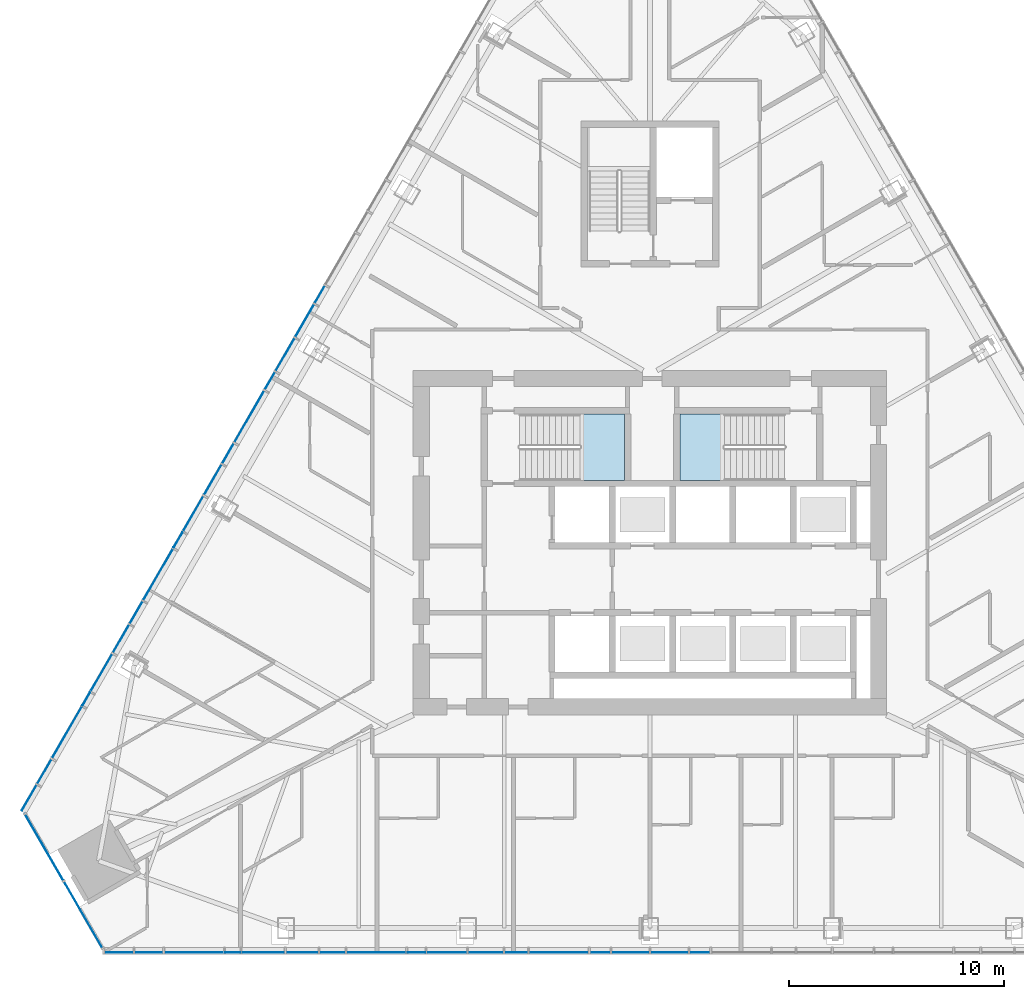
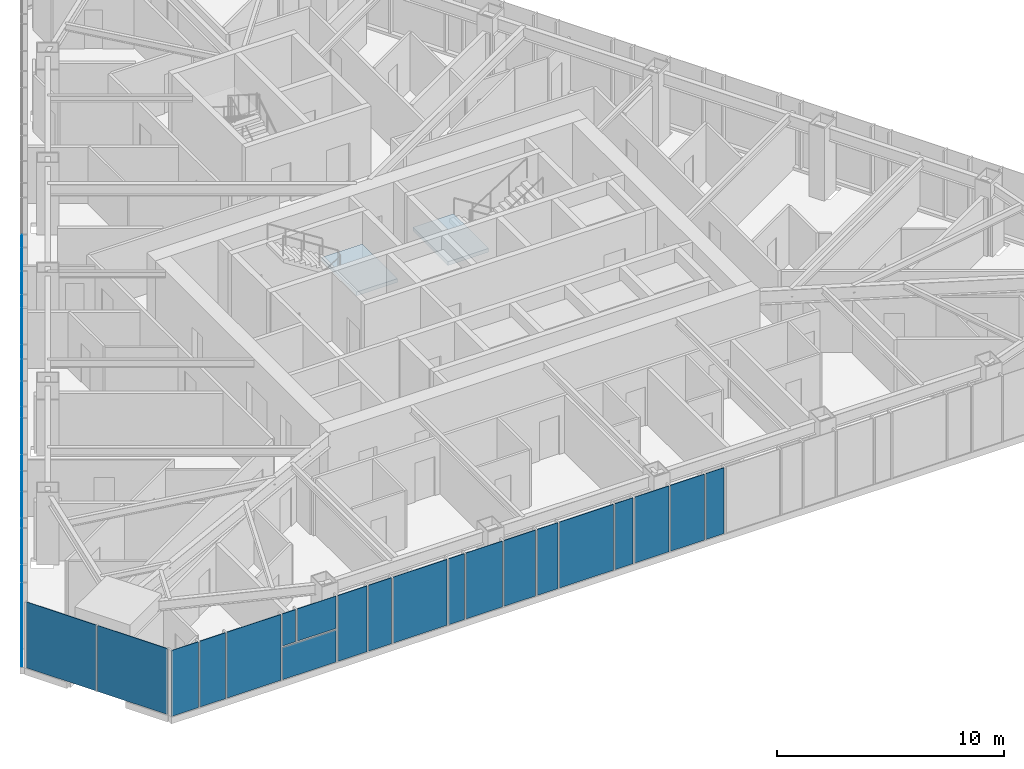
# One storey, part 8 of 19: 37 plates, 2 slabs, 5 elements without a shape of their own.
"""IFC4 building model written with IfcOpenShell, lengths in metres."""

import ifcopenshell
import ifcopenshell.guid

model = None  # the IFC model being written
_history = None  # IfcOwnerHistory: only IFC2X3 demands one
_inside = {}  # id of a spatial element -> (the spatial element, [elements in it])
_under = {}  # id of a project, library or spatial element -> (it, [spatial elements below it])
_declared = {}  # id of a project -> (the project, [libraries it declares])
_typed = {}  # id of a type object -> (the type object, [elements of that type])
_made_of = {}  # id of a material, layer set ... -> (it, [elements and type objects made of it])


def new_model(schema):
    """Start an empty IFC model of exactly this schema.

    Asked for "IFC4X3", IfcOpenShell would pick the latest addendum, in which some entities
    have other attributes; the version numbers below select the first issue.
    IFC2X3 requires an IfcOwnerHistory on every rooted entity: one is made here for all.
    """
    global model, _history
    if schema == "IFC4X3":
        model = ifcopenshell.file(schema_version=(4, 3, 0, 0))
    else:
        model = ifcopenshell.file(schema=schema)
    _inside.clear()
    _under.clear()
    _declared.clear()
    _typed.clear()
    _made_of.clear()
    _history = None
    if model.schema == "IFC2X3":
        org = make("IfcOrganization", Name="unknown")
        user = make(
            "IfcPersonAndOrganization",
            ThePerson=make("IfcPerson", FamilyName="unknown"),
            TheOrganization=org,
        )
        app = make(
            "IfcApplication",
            ApplicationDeveloper=org,
            Version="unknown",
            ApplicationFullName="unknown",
            ApplicationIdentifier="unknown",
        )
        _history = make(
            "IfcOwnerHistory",
            OwningUser=user,
            OwningApplication=app,
            ChangeAction="ADDED",
            CreationDate=0,
        )
    return model


def make(cls, **values):
    """One entity of the class cls with the attributes given. An attribute that is None is left unset."""
    return model.create_entity(
        cls, **{name: value for name, value in values.items() if value is not None}
    )


def rooted(cls, **values):
    """An entity with a GlobalId (a new one), such as an element, a storey or a relation."""
    return make(cls, GlobalId=ifcopenshell.guid.new(), OwnerHistory=_history, **values)


def si_unit(unit_type, name, prefix=None):
    """IfcSIUnit, for example si_unit("LENGTHUNIT", "METRE", prefix="MILLI")."""
    return make("IfcSIUnit", UnitType=unit_type, Prefix=prefix, Name=name)


def assignment(units):
    """IfcUnitAssignment: the units of a project."""
    return None if units is None else make("IfcUnitAssignment", Units=units)


def point(xyz):
    """IfcCartesianPoint."""
    return None if xyz is None else make("IfcCartesianPoint", Coordinates=xyz)


def direction(xyz):
    """IfcDirection."""
    return None if xyz is None else make("IfcDirection", DirectionRatios=xyz)


def frame(location, z_axis=None, x_axis=None):
    """IfcAxis2Placement3D, a coordinate frame: its origin and axes. An axis left out is left unset."""
    return make(
        "IfcAxis2Placement3D",
        Location=point(location),
        Axis=direction(z_axis),
        RefDirection=direction(x_axis),
    )


def origin():
    """The frame at (0, 0, 0) with its axes left unset."""
    return frame((0.0, 0.0, 0.0))


def place(relative_to, where):
    """IfcLocalPlacement: puts the frame where relative to a parent placement (None: the world)."""
    return make(
        "IfcLocalPlacement", PlacementRelTo=relative_to, RelativePlacement=where
    )


def context(
    kind, dimensions, precision=None, world=None, true_north=None, identifier=None
):
    """IfcGeometricRepresentationContext, for example the 3D "Model" context."""
    return make(
        "IfcGeometricRepresentationContext",
        ContextIdentifier=identifier,
        ContextType=kind,
        CoordinateSpaceDimension=dimensions,
        Precision=precision,
        WorldCoordinateSystem=world,
        TrueNorth=true_north,
    )


def subcontext(parent, identifier, kind, view, scale=None):
    """IfcGeometricRepresentationSubContext, for example "Body" below "Model"."""
    return make(
        "IfcGeometricRepresentationSubContext",
        ContextIdentifier=identifier,
        ContextType=kind,
        ParentContext=parent,
        TargetScale=scale,
        TargetView=view,
    )


def project(units=None, contexts=None):
    """IfcProject with its units and contexts."""
    return rooted(
        "IfcProject",
        Name="project",
        RepresentationContexts=contexts,
        UnitsInContext=assignment(units),
    )


def spatial(cls, under=None, at=None, **own):
    """A site, building, storey or space (cls), placed at a placement, below another one or the project."""
    s = rooted(cls, ObjectPlacement=at, **own)
    if under is not None:
        _under.setdefault(under.id(), (under, []))[1].append(s)
    return s


def polyline(points):
    """IfcPolyline through the points."""
    return make("IfcPolyline", Points=[point(p) for p in points])


def outline(outer, holes=None, kind="AREA"):
    """IfcArbitraryClosedProfileDef: a profile drawn as a closed curve; with holes, ...WithVoids."""
    if holes is None:
        return make("IfcArbitraryClosedProfileDef", ProfileType=kind, OuterCurve=outer)
    return make(
        "IfcArbitraryProfileDefWithVoids",
        ProfileType=kind,
        OuterCurve=outer,
        InnerCurves=holes,
    )


def extrude(swept, where, along, depth):
    """IfcExtrudedAreaSolid: the profile swept, set in the frame where, extruded along a direction by depth."""
    return make(
        "IfcExtrudedAreaSolid",
        SweptArea=swept,
        Position=where,
        ExtrudedDirection=direction(along),
        Depth=depth,
    )


def shape(context_of_items, identifier, shape_type, items):
    """IfcShapeRepresentation: the items that make up one representation, for example the "Body"."""
    return make(
        "IfcShapeRepresentation",
        ContextOfItems=context_of_items,
        RepresentationIdentifier=identifier,
        RepresentationType=shape_type,
        Items=items,
    )


def material(Name=None, Category=None):
    """IfcMaterial."""
    return make("IfcMaterial", Name=Name, Category=Category)


def layer(
    of_material, thickness, ventilated=None, Name=None, Category=None, Priority=None
):
    """IfcMaterialLayer: one layer of a wall or slab, of a material (None: an air gap)."""
    return make(
        "IfcMaterialLayer",
        Material=of_material,
        LayerThickness=thickness,
        IsVentilated=ventilated,
        Name=Name,
        Category=Category,
        Priority=Priority,
    )


def layer_set(layers, Name=None):
    """IfcMaterialLayerSet."""
    return make("IfcMaterialLayerSet", MaterialLayers=layers, LayerSetName=Name)


def made_of(thing, what):
    """Note that an element or type object is made of a material, layer set ...; save() writes the relation."""
    if what is not None:
        _made_of.setdefault(what.id(), (what, []))[1].append(thing)
    return thing


def type_object(cls, material=None, **own):
    """A type object (cls), such as IfcWallType, which elements share."""
    return made_of(rooted(cls, **own), material)


def element(
    cls,
    number,
    at=None,
    inside=None,
    cuts=None,
    type_object=None,
    material=None,
    context=None,
    identifier="Body",
    shape_type=None,
    held_by="IfcProductDefinitionShape",
    body=None,
    shapes=None,
    **own,
):
    """One element of the class cls, such as IfcWall. Its Tag is "e" and its number.

    at: its placement. inside: the storey or other place that contains it. cuts: it is an
    opening in that element (IfcRelVoidsElement). A single representation is given by context,
    identifier, shape_type and body (its items); several are given by shapes. held_by: the class
    of the entity that holds the representations. save() writes the other relations.
    """
    e = rooted(cls, Tag="e%d" % number, ObjectPlacement=at, **own)
    if body is not None:
        shapes = [shape(context, identifier, shape_type, body)]
    if shapes is not None:
        e.Representation = make(held_by, Representations=shapes)
    if inside is not None:
        _inside.setdefault(inside.id(), (inside, []))[1].append(e)
    if cuts is not None:
        rooted(
            "IfcRelVoidsElement", RelatingBuildingElement=cuts, RelatedOpeningElement=e
        )
    if type_object is not None:
        _typed.setdefault(type_object.id(), (type_object, []))[1].append(e)
    return made_of(e, material)


def aggregate(whole, parts):
    """IfcRelAggregates: a whole, such as a stair, and the parts it consists of."""
    return rooted("IfcRelAggregates", RelatingObject=whole, RelatedObjects=parts)


def save(model, path):
    """Write the relations noted so far, then the file.

    IfcRelAggregates (storeys below a building ...), IfcRelContainedInSpatialStructure (elements
    in a storey), IfcRelDefinesByType, IfcRelAssociatesMaterial and IfcRelDeclares: one each for
    every whole, place, type object, material and project.
    """
    for whole, parts in _under.values():
        aggregate(whole, parts)
    for where, things in _inside.values():
        rooted(
            "IfcRelContainedInSpatialStructure",
            RelatedElements=things,
            RelatingStructure=where,
        )
    for kind, things in _typed.values():
        rooted("IfcRelDefinesByType", RelatedObjects=things, RelatingType=kind)
    for what, things in _made_of.values():
        rooted("IfcRelAssociatesMaterial", RelatedObjects=things, RelatingMaterial=what)
    for by, libraries in _declared.values():
        rooted("IfcRelDeclares", RelatingContext=by, RelatedDefinitions=libraries)
    model.write(path)


model = new_model("IFC4")

# Units and contexts
model_context = context("Model", 3, precision=1e-05, world=origin(), true_north=direction((0.0, 1.0)))
body_context = subcontext(model_context, "Body", "Model", "MODEL_VIEW")
ifc_project = project(units=[si_unit("LENGTHUNIT", "METRE"), si_unit("AREAUNIT", "SQUARE_METRE"), si_unit("VOLUMEUNIT", "CUBIC_METRE"), si_unit("PLANEANGLEUNIT", "RADIAN"), si_unit("MASSUNIT", "GRAM", prefix="KILO")], contexts=[model_context])

# Site, building, storey
site_placement = place(None, origin())
site = spatial("IfcSite", under=ifc_project, at=site_placement, CompositionType="ELEMENT")
building_placement = place(site_placement, origin())
building = spatial("IfcBuilding", under=site, at=building_placement, Name="Firuza Gate Tower and Library", CompositionType="ELEMENT")
storey_placement = place(building_placement, frame((0.0, 0.0, 210.39990234375)))
storey = spatial("IfcBuildingStorey", under=building, at=storey_placement, Name="L49", CompositionType="ELEMENT", Elevation=210.39990234375)

# Curtain wall, plates
ifc_material_1 = material(Name="Aluminium 6063-T6", Category="aluminium")
ifc_layer_1 = layer(ifc_material_1, 0.14990234375)
ifc_layer_set_1 = layer_set([ifc_layer_1], Name="Corner curtain wall, chamfers")
curtain_wall_type_1 = type_object("IfcCurtainWallType", Name="Corner curtain wall, chamfers", PredefinedType="NOTDEFINED", material=ifc_layer_set_1)
placement_1 = place(storey_placement, origin())
curtain_wall_1 = element("IfcCurtainWall", 1, at=placement_1, inside=storey, type_object=curtain_wall_type_1, Name="CW4 L49 SW corner", PredefinedType="NOTDEFINED")
ifc_material_2 = material(Name="Fritted glass", Category="glass")
ifc_layer_2 = layer(ifc_material_2, 0.030029296875)
ifc_layer_set_2 = layer_set([ifc_layer_2], Name="Fritted glass unit, corners")
plate_type_1 = type_object("IfcPlateType", Name="Fritted glass unit, corners", PredefinedType="CURTAIN_PANEL", material=ifc_layer_set_2)
plate_1_placement = place(storey_placement, frame((45.953369140625, 62.390625, 0.150146484375), z_axis=(-0.866016723041, -0.500015035186, 0.0), x_axis=(0.500015035186, -0.866016723041, 0.0)))
plate_1 = element("IfcPlate", 2, at=plate_1_placement, type_object=plate_type_1, Name="Glass unit", PredefinedType="CURTAIN_PANEL", context=body_context, shape_type="SweptSolid", body=[
    extrude(outline(polyline([(0.0, 0.0), (3.5633694106530625, 0.0), (3.5633694106530625, 3.550048828125), (0.0, 3.550048828125), (0.0, 0.0)])), origin(), (0.0, 0.0, -1.0), 0.030029296875),
])
plate_2_placement = place(storey_placement, frame((47.775146484375, 59.235595703125, 0.150146484375), z_axis=(-0.866046390552, -0.49996364809, 0.0), x_axis=(0.49996364809, -0.866046390552, 0.0)))
plate_2 = element("IfcPlate", 3, at=plate_2_placement, type_object=plate_type_1, Name="Glass unit", PredefinedType="CURTAIN_PANEL", context=body_context, shape_type="SweptSolid", body=[
    extrude(outline(polyline([(0.0, 0.0), (3.563247342942594, 0.0), (3.563247342942594, 3.550048828125), (0.0, 3.550048828125), (0.0, 0.0)])), origin(), (0.0, 0.0, -1.0), 0.030029296875),
])
aggregate(curtain_wall_1, [plate_1, plate_2])

ifc_material_3 = material(Name="Aluminium 6063-T6", Category="aluminium")
ifc_layer_3 = layer(ifc_material_3, 0.14990234375)
ifc_layer_set_3 = layer_set([ifc_layer_3], Name="Unitised curtain wall, hotel")
curtain_wall_type_2 = type_object("IfcCurtainWallType", Name="Unitised curtain wall, hotel", PredefinedType="NOTDEFINED", material=ifc_layer_set_3)
curtain_wall_2 = element("IfcCurtainWall", 4, at=placement_1, inside=storey, type_object=curtain_wall_type_2, Name="CW2 L49 S face", PredefinedType="NOTDEFINED")
ifc_material_4 = material(Name="Fritted glass", Category="glass")
ifc_layer_4 = layer(ifc_material_4, 0.030029296875)
ifc_layer_set_4 = layer_set([ifc_layer_4], Name="Fritted glass unit, hotel")
plate_type_2 = type_object("IfcPlateType", Name="Fritted glass unit, hotel", PredefinedType="CURTAIN_PANEL", material=ifc_layer_set_4)
plate_3_placement = place(storey_placement, frame((49.629638671875, 55.9375, 0.150146484375), z_axis=(0.0, -1.0, 0.0), x_axis=(1.0, 0.0, 0.0)))
plate_3 = element("IfcPlate", 5, at=plate_3_placement, type_object=plate_type_2, Name="Glass unit", PredefinedType="CURTAIN_PANEL", context=body_context, shape_type="SweptSolid", body=[
    extrude(outline(polyline([(0.0, 0.0), (1.36328125, 0.0), (1.36328125, 3.550048828125), (0.0, 3.550048828125), (0.0, 0.0)])), origin(), (0.0, 0.0, -1.0), 0.030029296875),
])
plate_4_placement = place(storey_placement, frame((55.2763671875, 55.9375, 0.150146484375), z_axis=(0.0, -1.0, 0.0), x_axis=(1.0, 0.0, 0.0)))
plate_4 = element("IfcPlate", 6, at=plate_4_placement, type_object=plate_type_2, Name="Glass unit", PredefinedType="CURTAIN_PANEL", context=body_context, shape_type="SweptSolid", body=[
    extrude(outline(polyline([(0.0, 0.0), (2.743408203125, 0.0), (2.743408203125, 1.73486328125), (0.0, 1.73486328125), (0.0, 0.0)])), origin(), (0.0, 0.0, -1.0), 0.030029296875),
])
plate_5_placement = place(storey_placement, frame((56.03857421875, 55.9375, 1.965087890625), z_axis=(0.0, -1.0, 0.0), x_axis=(1.0, 0.0, 0.0)))
plate_5 = element("IfcPlate", 7, at=plate_5_placement, type_object=plate_type_2, Name="Glass unit", PredefinedType="CURTAIN_PANEL", context=body_context, shape_type="SweptSolid", body=[
    extrude(outline(polyline([(0.0, 0.0), (1.981201171875, 0.0), (1.981201171875, 1.735107421875), (0.0, 1.735107421875), (0.0, 0.0)])), origin(), (0.0, 0.0, -1.0), 0.030029296875),
])
plate_6_placement = place(storey_placement, frame((58.099853515625, 55.9375, 0.150146484375), z_axis=(0.0, -1.0, 0.0), x_axis=(1.0, 0.0, 0.0)))
plate_6 = element("IfcPlate", 8, at=plate_6_placement, type_object=plate_type_2, Name="Glass unit", PredefinedType="CURTAIN_PANEL", context=body_context, shape_type="SweptSolid", body=[
    extrude(outline(polyline([(0.0, 0.0), (1.486572265625, 0.0), (1.486572265625, 3.550048828125), (0.0, 3.550048828125), (0.0, 0.0)])), origin(), (0.0, 0.0, -1.0), 0.030029296875),
])
plate_7_placement = place(storey_placement, frame((64.63232421875, 55.9375, 0.150146484375), z_axis=(0.0, -1.0, 0.0), x_axis=(1.0, 0.0, 0.0)))
plate_7 = element("IfcPlate", 9, at=plate_7_placement, type_object=plate_type_2, Name="Glass unit", PredefinedType="CURTAIN_PANEL", context=body_context, shape_type="SweptSolid", body=[
    extrude(outline(polyline([(0.0, 0.0), (1.857666015625, 0.0), (1.857666015625, 3.550048828125), (0.0, 3.550048828125), (0.0, 0.0)])), origin(), (0.0, 0.0, -1.0), 0.030029296875),
])
plate_8_placement = place(storey_placement, frame((66.56982421875, 55.9375, 0.150146484375), z_axis=(0.0, -1.0, 0.0), x_axis=(1.0, 0.0, 0.0)))
plate_8 = element("IfcPlate", 10, at=plate_8_placement, type_object=plate_type_2, Name="Glass unit", PredefinedType="CURTAIN_PANEL", context=body_context, shape_type="SweptSolid", body=[
    extrude(outline(polyline([(0.0, 0.0), (1.6103515625, 0.0), (1.6103515625, 3.550048828125), (0.0, 3.550048828125), (0.0, 0.0)])), origin(), (0.0, 0.0, -1.0), 0.030029296875),
])
plate_9_placement = place(storey_placement, frame((73.22607421875, 55.9375, 0.150146484375), z_axis=(0.0, -1.0, 0.0), x_axis=(1.0, 0.0, 0.0)))
plate_9 = element("IfcPlate", 11, at=plate_9_placement, type_object=plate_type_2, Name="Glass unit", PredefinedType="CURTAIN_PANEL", context=body_context, shape_type="SweptSolid", body=[
    extrude(outline(polyline([(0.0, 0.0), (1.73388671875, 0.0), (1.73388671875, 3.550048828125), (0.0, 3.550048828125), (0.0, 0.0)])), origin(), (0.0, 0.0, -1.0), 0.030029296875),
])
plate_10_placement = place(storey_placement, frame((75.0400390625, 55.9375, 0.150146484375), z_axis=(0.0, -1.0, 0.0), x_axis=(1.0, 0.0, 0.0)))
plate_10 = element("IfcPlate", 12, at=plate_10_placement, type_object=plate_type_2, Name="Glass unit", PredefinedType="CURTAIN_PANEL", context=body_context, shape_type="SweptSolid", body=[
    extrude(outline(polyline([(0.0, 0.0), (1.73388671875, 0.0), (1.73388671875, 3.550048828125), (0.0, 3.550048828125), (0.0, 0.0)])), origin(), (0.0, 0.0, -1.0), 0.030029296875),
])

curtain_wall_3 = element("IfcCurtainWall", 13, at=placement_1, inside=storey, type_object=curtain_wall_type_2, Name="CW2 L49 W face", PredefinedType="NOTDEFINED")
plate_11_placement = place(storey_placement, frame((59.37841796875, 86.067626953125, 0.150146484375), z_axis=(-0.865981599177, 0.500075864132, 0.0), x_axis=(-0.500075864132, -0.865981599177, 0.0)))
plate_11 = element("IfcPlate", 14, at=plate_11_placement, type_object=plate_type_2, Name="Glass unit", PredefinedType="CURTAIN_PANEL", context=body_context, shape_type="SweptSolid", body=[
    extrude(outline(polyline([(0.0, 0.0), (1.7341118862140483, 0.0), (1.7341118862140483, 3.550048828125), (0.0, 3.550048828125), (0.0, 0.0)])), origin(), (0.0, 0.0, -1.0), 0.030029296875),
])
plate_12_placement = place(storey_placement, frame((58.471435546875, 84.49658203125, 0.150146484375), z_axis=(-0.865981599177, 0.500075864132, 0.0), x_axis=(-0.500075864132, -0.865981599177, 0.0)))
plate_12 = element("IfcPlate", 15, at=plate_12_placement, type_object=plate_type_2, Name="Glass unit", PredefinedType="CURTAIN_PANEL", context=body_context, shape_type="SweptSolid", body=[
    extrude(outline(polyline([(0.0, 0.0), (1.7341118862140483, 0.0), (1.7341118862140483, 3.550048828125), (0.0, 3.550048828125), (0.0, 0.0)])), origin(), (0.0, 0.0, -1.0), 0.030029296875),
])
plate_13_placement = place(storey_placement, frame((55.08154296875, 78.625244140625, 0.150146484375), z_axis=(-0.866013897511, 0.50001992892, 0.0), x_axis=(-0.50001992892, -0.866013897511, 0.0)))
plate_13 = element("IfcPlate", 16, at=plate_13_placement, type_object=plate_type_2, Name="Glass unit", PredefinedType="CURTAIN_PANEL", context=body_context, shape_type="SweptSolid", body=[
    extrude(outline(polyline([(0.0, 0.0), (1.610287379922637, 0.0), (1.610287379922637, 3.550048828125), (0.0, 3.550048828125), (0.0, 0.0)])), origin(), (0.0, 0.0, -1.0), 0.030029296875),
])
plate_14_placement = place(storey_placement, frame((54.236328125, 77.161376953125, 0.150146484375), z_axis=(-0.866010510293, 0.500025795397, 0.0), x_axis=(-0.500025795397, -0.866010510293, 0.0)))
plate_14 = element("IfcPlate", 17, at=plate_14_placement, type_object=plate_type_2, Name="Glass unit", PredefinedType="CURTAIN_PANEL", context=body_context, shape_type="SweptSolid", body=[
    extrude(outline(polyline([(0.0, 0.0), (1.857814310135533, 0.0), (1.857814310135533, 3.550048828125001), (0.0, 3.550048828125001), (0.0, 0.0)])), origin(), (0.0, 0.0, -1.0), 0.030029296875),
])
plate_15_placement = place(storey_placement, frame((50.78466796875, 71.182861328125, 0.150146484375), z_axis=(-0.866021515814, 0.500006734102, 0.0), x_axis=(-0.500006734102, -0.866021515814, 0.0)))
plate_15 = element("IfcPlate", 18, at=plate_15_placement, type_object=plate_type_2, Name="Glass unit", PredefinedType="CURTAIN_PANEL", context=body_context, shape_type="SweptSolid", body=[
    extrude(outline(polyline([(0.0, 0.0), (1.4867963817732524, 0.0), (1.4867963817732524, 3.550048828125001), (0.0, 3.550048828125001), (0.0, 0.0)])), origin(), (0.0, 0.0, -1.0), 0.030029296875),
])
plate_16_placement = place(storey_placement, frame((50.001220703125, 69.825927734375, 0.150146484375), z_axis=(-0.866005004348, 0.500035331196, 0.0), x_axis=(-0.500035331196, -0.866005004348, 0.0)))
plate_16 = element("IfcPlate", 19, at=plate_16_placement, type_object=plate_type_2, Name="Glass unit", PredefinedType="CURTAIN_PANEL", context=body_context, shape_type="SweptSolid", body=[
    extrude(outline(polyline([(0.0, 0.0), (1.9813053087282266, 0.0), (1.9813053087282266, 3.550048828125), (0.0, 3.550048828125), (0.0, 0.0)])), origin(), (0.0, 0.0, -1.0), 0.030029296875),
])
plate_17_placement = place(storey_placement, frame((46.48779296875, 63.740478515625, 0.150146484375), z_axis=(-0.865985735208, 0.500068701696, 0.0), x_axis=(-0.500068701696, -0.865985735208, 0.0)))
plate_17 = element("IfcPlate", 20, at=plate_17_placement, type_object=plate_type_2, Name="Glass unit", PredefinedType="CURTAIN_PANEL", context=body_context, shape_type="SweptSolid", body=[
    extrude(outline(polyline([(0.0, 0.0), (1.3630939562663213, 0.0), (1.3630939562663213, 3.550048828125), (0.0, 3.550048828125), (0.0, 0.0)])), origin(), (0.0, 0.0, -1.0), 0.030029296875),
])

# Plate
ifc_material_5 = material(Name="Glazed ceramic tile")
ifc_layer_5 = layer(ifc_material_5, 0.030029296875)
ifc_layer_set_5 = layer_set([ifc_layer_5], Name="Opaque ceramic panel, hotel")
plate_type_3 = type_object("IfcPlateType", Name="Opaque ceramic panel, hotel", PredefinedType="CURTAIN_PANEL", material=ifc_layer_set_5)
plate_18_placement = place(storey_placement, frame((51.07275390625, 55.9375, 0.150146484375), z_axis=(0.0, -1.0, 0.0), x_axis=(1.0, 0.0, 0.0)))
plate_18 = element("IfcPlate", 21, at=plate_18_placement, type_object=plate_type_3, Name="Opaque ceramic panel", PredefinedType="CURTAIN_PANEL", context=body_context, shape_type="SweptSolid", body=[
    extrude(outline(polyline([(0.0, 0.0), (1.30029296875, 0.0), (1.30029296875, 3.550048828125), (0.0, 3.550048828125), (0.0, 0.0)])), origin(), (0.0, 0.0, -1.0), 0.030029296875),
])

plate_19_placement = place(storey_placement, frame((52.453125, 55.9375, 0.150146484375), z_axis=(0.0, -1.0, 0.0), x_axis=(1.0, 0.0, 0.0)))
plate_19 = element("IfcPlate", 22, at=plate_19_placement, type_object=plate_type_3, Name="Opaque ceramic panel", PredefinedType="CURTAIN_PANEL", context=body_context, shape_type="SweptSolid", body=[
    extrude(outline(polyline([(0.0, 0.0), (2.743408203125, 0.0), (2.743408203125, 3.550048828125), (0.0, 3.550048828125), (0.0, 0.0)])), origin(), (0.0, 0.0, -1.0), 0.030029296875),
])

plate_20_placement = place(storey_placement, frame((55.2763671875, 55.9375, 1.965087890625), z_axis=(0.0, -1.0, 0.0), x_axis=(1.0, 0.0, 0.0)))
plate_20 = element("IfcPlate", 23, at=plate_20_placement, type_object=plate_type_3, Name="Opaque ceramic panel", PredefinedType="CURTAIN_PANEL", context=body_context, shape_type="SweptSolid", body=[
    extrude(outline(polyline([(0.0, 0.0), (0.68212890625, 0.0), (0.68212890625, 1.735107421875), (0.0, 1.735107421875), (0.0, 0.0)])), origin(), (0.0, 0.0, -1.0), 0.030029296875),
])

plate_21_placement = place(storey_placement, frame((59.66650390625, 55.9375, 0.150146484375), z_axis=(0.0, -1.0, 0.0), x_axis=(1.0, 0.0, 0.0)))
plate_21 = element("IfcPlate", 24, at=plate_21_placement, type_object=plate_type_3, Name="Opaque ceramic panel", PredefinedType="CURTAIN_PANEL", context=body_context, shape_type="SweptSolid", body=[
    extrude(outline(polyline([(0.0, 0.0), (1.1767578125, 0.0), (1.1767578125, 3.550048828125), (0.0, 3.550048828125), (0.0, 0.0)])), origin(), (0.0, 0.0, -1.0), 0.030029296875),
])

plate_22_placement = place(storey_placement, frame((60.923095703125, 55.9375, 0.150146484375), z_axis=(0.0, -1.0, 0.0), x_axis=(1.0, 0.0, 0.0)))
plate_22 = element("IfcPlate", 25, at=plate_22_placement, type_object=plate_type_3, Name="Opaque ceramic panel", PredefinedType="CURTAIN_PANEL", context=body_context, shape_type="SweptSolid", body=[
    extrude(outline(polyline([(0.0, 0.0), (2.743408203125, 0.0), (2.743408203125, 3.550048828125), (0.0, 3.550048828125), (0.0, 0.0)])), origin(), (0.0, 0.0, -1.0), 0.030029296875),
])

plate_23_placement = place(storey_placement, frame((63.74658203125, 55.9375, 0.150146484375), z_axis=(0.0, -1.0, 0.0), x_axis=(1.0, 0.0, 0.0)))
plate_23 = element("IfcPlate", 26, at=plate_23_placement, type_object=plate_type_3, Name="Opaque ceramic panel", PredefinedType="CURTAIN_PANEL", context=body_context, shape_type="SweptSolid", body=[
    extrude(outline(polyline([(0.0, 0.0), (0.8056640625, 0.0), (0.8056640625, 3.550048828125), (0.0, 3.550048828125), (0.0, 0.0)])), origin(), (0.0, 0.0, -1.0), 0.030029296875),
])

plate_24_placement = place(storey_placement, frame((68.26025390625, 55.9375, 0.150146484375), z_axis=(0.0, -1.0, 0.0), x_axis=(1.0, 0.0, 0.0)))
plate_24 = element("IfcPlate", 27, at=plate_24_placement, type_object=plate_type_3, Name="Opaque ceramic panel", PredefinedType="CURTAIN_PANEL", context=body_context, shape_type="SweptSolid", body=[
    extrude(outline(polyline([(0.0, 0.0), (1.052978515625, 0.0), (1.052978515625, 3.550048828125), (0.0, 3.550048828125), (0.0, 0.0)])), origin(), (0.0, 0.0, -1.0), 0.030029296875),
])

plate_25_placement = place(storey_placement, frame((69.393310546875, 55.9375, 0.150146484375), z_axis=(0.0, -1.0, 0.0), x_axis=(1.0, 0.0, 0.0)))
plate_25 = element("IfcPlate", 28, at=plate_25_placement, type_object=plate_type_3, Name="Opaque ceramic panel", PredefinedType="CURTAIN_PANEL", context=body_context, shape_type="SweptSolid", body=[
    extrude(outline(polyline([(0.0, 0.0), (2.743408203125, 0.0), (2.743408203125, 3.550048828125), (0.0, 3.550048828125), (0.0, 0.0)])), origin(), (0.0, 0.0, -1.0), 0.030029296875),
])

plate_26_placement = place(storey_placement, frame((72.216552734375, 55.9375, 0.150146484375), z_axis=(0.0, -1.0, 0.0), x_axis=(1.0, 0.0, 0.0)))
plate_26 = element("IfcPlate", 29, at=plate_26_placement, type_object=plate_type_3, Name="Opaque ceramic panel", PredefinedType="CURTAIN_PANEL", context=body_context, shape_type="SweptSolid", body=[
    extrude(outline(polyline([(0.0, 0.0), (0.929443359375, 0.0), (0.929443359375, 3.550048828125), (0.0, 3.550048828125), (0.0, 0.0)])), origin(), (0.0, 0.0, -1.0), 0.030029296875),
])

plate_27_placement = place(storey_placement, frame((76.85400390625, 55.9375, 0.150146484375), z_axis=(0.0, -1.0, 0.0), x_axis=(1.0, 0.0, 0.0)))
plate_27 = element("IfcPlate", 30, at=plate_27_placement, type_object=plate_type_3, Name="Opaque ceramic panel", PredefinedType="CURTAIN_PANEL", context=body_context, shape_type="SweptSolid", body=[
    extrude(outline(polyline([(0.0, 0.0), (0.929443359375, 0.0), (0.929443359375, 3.550048828125), (0.0, 3.550048828125), (0.0, 0.0)])), origin(), (0.0, 0.0, -1.0), 0.030029296875),
])

aggregate(curtain_wall_2, [plate_3, plate_18, plate_19, plate_4, plate_20, plate_5, plate_6, plate_21, plate_22, plate_23, plate_7, plate_8, plate_24, plate_25, plate_26, plate_9, plate_10, plate_27])

plate_28_placement = place(storey_placement, frame((59.883056640625, 86.941650390625, 0.150146484375), z_axis=(-0.866019315389, 0.500010545262, 0.0), x_axis=(-0.500010545262, -0.866019315389, 0.0)))
plate_28 = element("IfcPlate", 31, at=plate_28_placement, type_object=plate_type_3, Name="Opaque ceramic panel", PredefinedType="CURTAIN_PANEL", context=body_context, shape_type="SweptSolid", body=[
    extrude(outline(polyline([(0.0, 0.0), (0.9291796218641757, 0.0), (0.9291796218641757, 3.550048828125), (0.0, 3.550048828125), (0.0, 0.0)])), origin(), (0.0, 0.0, -1.0), 0.030029296875),
])

plate_29_placement = place(storey_placement, frame((57.564208984375, 82.925537109375, 0.150146484375), z_axis=(-0.866019315389, 0.500010545262, 0.0), x_axis=(-0.500010545262, -0.866019315389, 0.0)))
plate_29 = element("IfcPlate", 32, at=plate_29_placement, type_object=plate_type_3, Name="Opaque ceramic panel", PredefinedType="CURTAIN_PANEL", context=body_context, shape_type="SweptSolid", body=[
    extrude(outline(polyline([(0.0, 0.0), (0.9291796218641757, 0.0), (0.9291796218641757, 3.550048828125), (0.0, 3.550048828125), (0.0, 0.0)])), origin(), (0.0, 0.0, -1.0), 0.030029296875),
])

plate_30_placement = place(storey_placement, frame((57.0595703125, 82.051513671875, 0.150146484375), z_axis=(-0.866032936488, 0.499986952748, 0.0), x_axis=(-0.499986952748, -0.866032936488, 0.0)))
plate_30 = element("IfcPlate", 33, at=plate_30_placement, type_object=plate_type_3, Name="Opaque ceramic panel", PredefinedType="CURTAIN_PANEL", context=body_context, shape_type="SweptSolid", body=[
    extrude(outline(polyline([(0.0, 0.0), (2.7432356458743987, 0.0), (2.7432356458743987, 3.550048828125), (0.0, 3.550048828125), (0.0, 0.0)])), origin(), (0.0, 0.0, -1.0), 0.030029296875),
])

plate_31_placement = place(storey_placement, frame((55.64794921875, 79.6064453125, 0.150146484375), z_axis=(-0.86606589033, 0.499929868688, 0.0), x_axis=(-0.499929868688, -0.86606589033, 0.0)))
plate_31 = element("IfcPlate", 34, at=plate_31_placement, type_object=plate_type_3, Name="Opaque ceramic panel", PredefinedType="CURTAIN_PANEL", context=body_context, shape_type="SweptSolid", body=[
    extrude(outline(polyline([(0.0, 0.0), (1.0528820549987703, 0.0), (1.0528820549987703, 3.550048828125), (0.0, 3.550048828125), (0.0, 0.0)])), origin(), (0.0, 0.0, -1.0), 0.030029296875),
])

plate_32_placement = place(storey_placement, frame((53.267578125, 75.483154296875, 0.150146484375), z_axis=(-0.865902984716, 0.500211976125, 0.0), x_axis=(-0.500211976125, -0.865902984716, 0.0)))
plate_32 = element("IfcPlate", 35, at=plate_32_placement, type_object=plate_type_3, Name="Opaque ceramic panel", PredefinedType="CURTAIN_PANEL", context=body_context, shape_type="SweptSolid", body=[
    extrude(outline(polyline([(0.0, 0.0), (0.805810718482038, 0.0), (0.805810718482038, 3.550048828125), (0.0, 3.550048828125), (0.0, 0.0)])), origin(), (0.0, 0.0, -1.0), 0.030029296875),
])

plate_33_placement = place(storey_placement, frame((52.82470703125, 74.71630859375, 0.150146484375), z_axis=(-0.866016649877, 0.500015161905, 0.0), x_axis=(-0.500015161905, -0.866016649877, 0.0)))
plate_33 = element("IfcPlate", 36, at=plate_33_placement, type_object=plate_type_3, Name="Opaque ceramic panel", PredefinedType="CURTAIN_PANEL", context=body_context, shape_type="SweptSolid", body=[
    extrude(outline(polyline([(0.0, 0.0), (2.7435691482793962, 0.0), (2.7435691482793962, 3.550048828125001), (0.0, 3.550048828125001), (0.0, 0.0)])), origin(), (0.0, 0.0, -1.0), 0.030029296875),
])

plate_34_placement = place(storey_placement, frame((51.412841796875, 72.27099609375, 0.150146484375), z_axis=(-0.8660508054, 0.499956000529, 0.0), x_axis=(-0.499956000529, -0.8660508054, 0.0)))
plate_34 = element("IfcPlate", 37, at=plate_34_placement, type_object=plate_type_3, Name="Opaque ceramic panel", PredefinedType="CURTAIN_PANEL", context=body_context, shape_type="SweptSolid", body=[
    extrude(outline(polyline([(0.0, 0.0), (1.1763730508327905, 0.0), (1.1763730508327905, 3.5500488281249996), (0.0, 3.5500488281249996), (0.0, 0.0)])), origin(), (0.0, 0.0, -1.0), 0.030029296875),
])

plate_35_placement = place(storey_placement, frame((48.970703125, 68.040771484375, 0.150146484375), z_axis=(-0.865964989499, 0.500104626015, 0.0), x_axis=(-0.500104626015, -0.865964989499, 0.0)))
plate_35 = element("IfcPlate", 38, at=plate_35_placement, type_object=plate_type_3, Name="Opaque ceramic panel", PredefinedType="CURTAIN_PANEL", context=body_context, shape_type="SweptSolid", body=[
    extrude(outline(polyline([(0.0, 0.0), (0.6819861992533169, 0.0), (0.6819861992533169, 3.550048828125), (0.0, 3.550048828125), (0.0, 0.0)])), origin(), (0.0, 0.0, -1.0), 0.030029296875),
])

plate_36_placement = place(storey_placement, frame((48.589599609375, 67.380859375, 0.150146484375), z_axis=(-0.86599439933, 0.500053697445, 0.0), x_axis=(-0.500053697445, -0.86599439933, 0.0)))
plate_36 = element("IfcPlate", 39, at=plate_36_placement, type_object=plate_type_3, Name="Opaque ceramic panel", PredefinedType="CURTAIN_PANEL", context=body_context, shape_type="SweptSolid", body=[
    extrude(outline(polyline([(0.0, 0.0), (2.7433577211492617, 0.0), (2.7433577211492617, 3.550048828125001), (0.0, 3.550048828125001), (0.0, 0.0)])), origin(), (0.0, 0.0, -1.0), 0.030029296875),
])

plate_37_placement = place(storey_placement, frame((47.177978515625, 64.935791015625, 0.150146484375), z_axis=(-0.866004217611, 0.500036693733, 0.0), x_axis=(-0.500036693733, -0.866004217611, 0.0)))
plate_37 = element("IfcPlate", 40, at=plate_37_placement, type_object=plate_type_3, Name="Opaque ceramic panel", PredefinedType="CURTAIN_PANEL", context=body_context, shape_type="SweptSolid", body=[
    extrude(outline(polyline([(0.0, 0.0), (1.3001975505454886, 0.0), (1.3001975505454886, 3.550048828125), (0.0, 3.550048828125), (0.0, 0.0)])), origin(), (0.0, 0.0, -1.0), 0.030029296875),
])

aggregate(curtain_wall_3, [plate_28, plate_11, plate_12, plate_29, plate_30, plate_31, plate_13, plate_14, plate_32, plate_33, plate_34, plate_15, plate_16, plate_35, plate_36, plate_37, plate_17])

# Stair, slab
ifc_material_6 = material(Name="Concrete C35/45", Category="concrete")
stair_type = type_object("IfcStairType", Name="Exit stair ST7", PredefinedType="HALF_TURN_STAIR", material=ifc_material_6)
stair_1 = element("IfcStair", 41, at=placement_1, inside=storey, type_object=stair_type, Name="L49 Stair ST1", PredefinedType="HALF_TURN_STAIR")
ifc_material_7 = material(Name="Concrete C35/45", Category="concrete")
ifc_layer_6 = layer(ifc_material_7, 0.199951171875)
ifc_layer_set_6 = layer_set([ifc_layer_6], Name="Stair landing 200")
slab_type = type_object("IfcSlabType", Name="Stair landing 200", PredefinedType="LANDING", material=ifc_layer_set_6)
placement_2 = place(storey_placement, frame((0.0, 0.0, 1.75)))
slab_1 = element("IfcSlab", 42, at=placement_2, type_object=slab_type, Name="ST1 landing 1", PredefinedType="LANDING", context=body_context, shape_type="SweptSolid", body=[
    extrude(outline(polyline([(71.739990234375, 77.89990234375), (73.81005859375, 77.89990234375), (73.81005859375, 80.97998046875), (71.739990234375, 80.97998046875), (71.739990234375, 77.89990234375)])), origin(), (0.0, 0.0, 1.0), 0.2001953125),
])
aggregate(stair_1, [slab_1])

stair_2 = element("IfcStair", 43, at=placement_1, inside=storey, type_object=stair_type, Name="L49 Stair ST2", PredefinedType="HALF_TURN_STAIR")
slab_2 = element("IfcSlab", 44, at=placement_2, type_object=slab_type, Name="ST2 landing 1", PredefinedType="LANDING", context=body_context, shape_type="SweptSolid", body=[
    extrude(outline(polyline([(78.4599609375, 80.97998046875), (76.389892578125, 80.97998046875), (76.389892578125, 77.89990234375), (78.4599609375, 77.89990234375), (78.4599609375, 80.97998046875)])), origin(), (0.0, 0.0, 1.0), 0.2001953125),
])
aggregate(stair_2, [slab_2])

save(model, "model.ifc")
